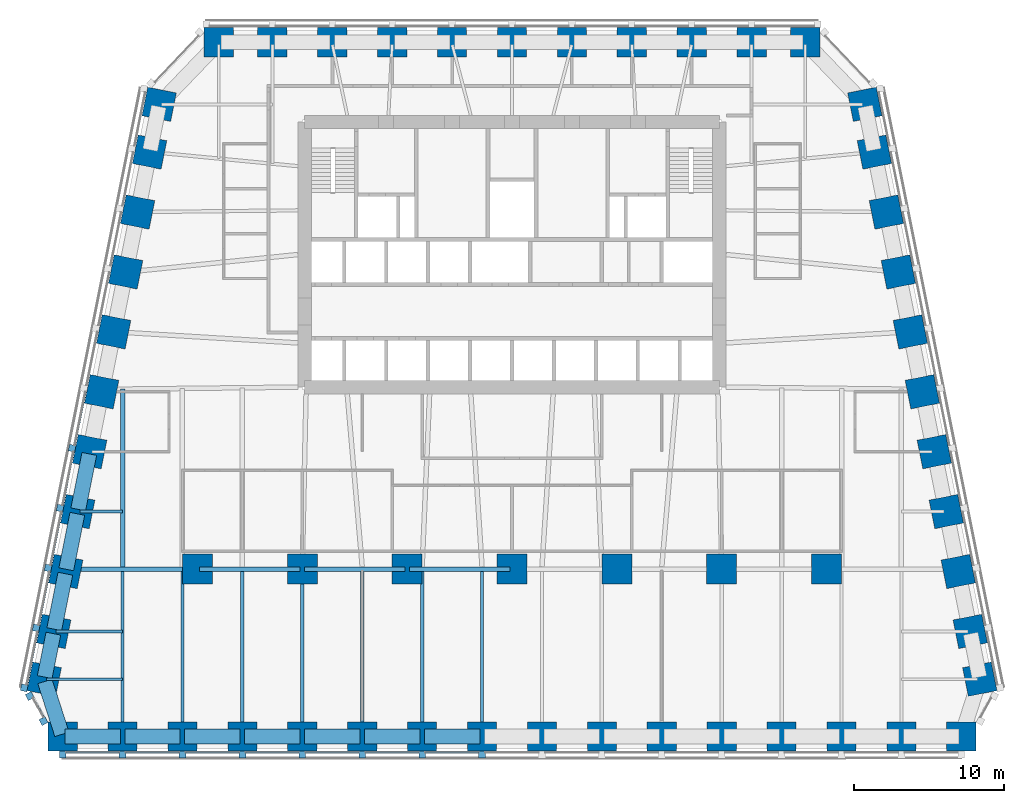
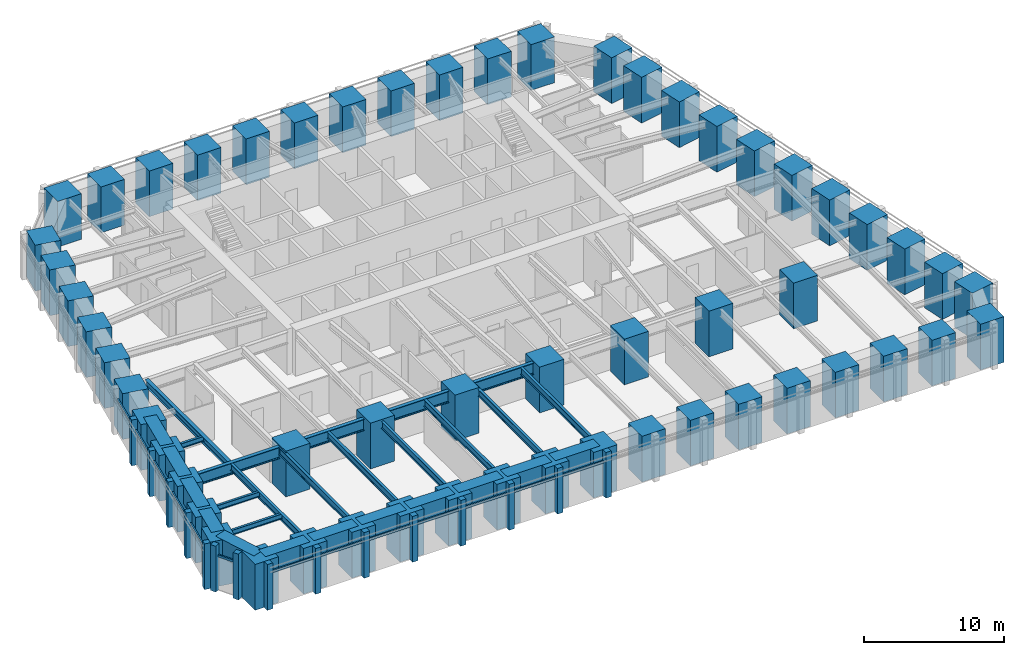
# One storey, part 1 of 10: 56 columns, 28 members, 27 beams, 3 elements without a shape of their own.
"""IFC4 building model written with IfcOpenShell, lengths in metres."""

from ifc_helpers import new_model, si_unit, direction, frame, origin, origin_2d, place, context, subcontext, project, spatial, rectangle, i_section, extrude, material, material_profile, profile_set, type_object, element, aggregate, save


model = new_model("IFC4")

# Units and contexts
model_context = context("Model", 3, precision=1e-05, world=origin(), true_north=direction((0.0, 1.0)))
body_context = subcontext(model_context, "Body", "Model", "MODEL_VIEW")
ifc_project = project(units=[si_unit("LENGTHUNIT", "METRE"), si_unit("AREAUNIT", "SQUARE_METRE"), si_unit("VOLUMEUNIT", "CUBIC_METRE"), si_unit("PLANEANGLEUNIT", "RADIAN"), si_unit("MASSUNIT", "GRAM", prefix="KILO")], contexts=[model_context])

# Site, building, storey
site_placement = place(None, origin())
site = spatial("IfcSite", under=ifc_project, at=site_placement, CompositionType="ELEMENT")
building_placement = place(site_placement, origin())
building = spatial("IfcBuilding", under=site, at=building_placement, Name="Isbrekke Arena Tower", CompositionType="ELEMENT")
storey_placement = place(building_placement, frame((0.0, 0.0, 80.0)))
storey = spatial("IfcBuildingStorey", under=building, at=storey_placement, Name="L17", CompositionType="ELEMENT", Elevation=80.0)

# Columns
ifc_material_1 = material(Name="Concrete B90 (C90/105)", Category="concrete")
ifc_material_profile_1 = material_profile(ifc_material_1, rectangle(XDim=2.0, YDim=2.0, at=origin_2d()), Name="RC 2000x2000")
ifc_profile_set_1 = profile_set([ifc_material_profile_1], Name="Concrete B90 (C90/105)")
column_type_1 = type_object("IfcColumnType", Name="C11 RC 2000 x 2000", PredefinedType="COLUMN", material=ifc_profile_set_1)
for number, where, z_axis, x_axis, name in (
    (1, (-21.0, -6.0, 0.0), (0.0, 0.0, 1.0), (1.0, 0.0, 0.0), "C11 I01"),
    (2, (-14.0, -6.0, 0.0), (0.0, 0.0, 1.0), (1.0, 0.0, 0.0), "C11 I02"),
    (3, (-7.0, -6.0, 0.0), (0.0, 0.0, 1.0), (1.0, 0.0, 0.0), "C11 I03"),
    (4, (0.0, -6.0, 0.0), (0.0, 0.0, 1.0), (1.0, 0.0, 0.0), "C11 I04"),
    (5, (7.0, -6.0, 0.0), (0.0, 0.0, 1.0), (1.0, 0.0, 0.0), "C11 I05"),
    (6, (14.0, -6.0, 0.0), (0.0, 0.0, 1.0), (1.0, 0.0, 0.0), "C11 I06"),
    (7, (21.0, -6.0, 0.0), (0.0, 0.0, 1.0), (1.0, 0.0, 0.0), "C11 I07"),
):
    element("IfcColumn", number, at=place(storey_placement, frame(where, z_axis=z_axis, x_axis=x_axis)), inside=storey, type_object=column_type_1, Name=name, PredefinedType="COLUMN", context=body_context, shape_type="SweptSolid", body=[
        extrude(rectangle(XDim=2.0, YDim=2.0, at=origin_2d()), origin(), (0.0, 0.0, 1.0), 4.0),
    ])
ifc_material_2 = material(Name="Concrete B90 (C90/105)", Category="concrete")
ifc_material_profile_2 = material_profile(ifc_material_2, rectangle(XDim=1.949951171875, YDim=1.949951171875, at=origin_2d()), Name="RC 1950x1950")
ifc_profile_set_2 = profile_set([ifc_material_profile_2], Name="Concrete B90 (C90/105)")
column_type_2 = type_object("IfcColumnType", Name="C2 RC 1950 x 1950", PredefinedType="COLUMN", material=ifc_profile_set_2)
for number, where, z_axis, x_axis, name in (
    (8, (-30.0, -17.175048828125, 0.0), (0.0, 0.0, 1.0), (1.0, 0.0, 0.0), "C2 S01"),
    (9, (-26.0, -17.175048828125, 0.0), (0.0, 0.0, 1.0), (1.0, 0.0, 0.0), "C2 S02"),
    (10, (-22.0, -17.175048828125, 0.0), (0.0, 0.0, 1.0), (1.0, 0.0, 0.0), "C2 S03"),
    (11, (-18.0, -17.175048828125, 0.0), (0.0, 0.0, 1.0), (1.0, 0.0, 0.0), "C2 S04"),
    (12, (-14.0, -17.175048828125, 0.0), (0.0, 0.0, 1.0), (1.0, 0.0, 0.0), "C2 S05"),
    (13, (-10.0, -17.175048828125, 0.0), (0.0, 0.0, 1.0), (1.0, 0.0, 0.0), "C2 S06"),
    (14, (-6.0, -17.175048828125, 0.0), (0.0, 0.0, 1.0), (1.0, 0.0, 0.0), "C2 S07"),
    (15, (-2.0, -17.175048828125, 0.0), (0.0, 0.0, 1.0), (1.0, 0.0, 0.0), "C2 S08"),
    (16, (2.0, -17.175048828125, 0.0), (0.0, 0.0, 1.0), (1.0, 0.0, 0.0), "C2 S09"),
    (17, (6.0, -17.175048828125, 0.0), (0.0, 0.0, 1.0), (1.0, 0.0, 0.0), "C2 S10"),
    (18, (10.0, -17.175048828125, 0.0), (0.0, 0.0, 1.0), (1.0, 0.0, 0.0), "C2 S11"),
    (19, (14.0, -17.175048828125, 0.0), (0.0, 0.0, 1.0), (1.0, 0.0, 0.0), "C2 S12"),
    (20, (18.0, -17.175048828125, 0.0), (0.0, 0.0, 1.0), (1.0, 0.0, 0.0), "C2 S13"),
    (21, (22.0, -17.175048828125, 0.0), (0.0, 0.0, 1.0), (1.0, 0.0, 0.0), "C2 S14"),
    (22, (26.0, -17.175048828125, 0.0), (0.0, 0.0, 1.0), (1.0, 0.0, 0.0), "C2 S15"),
    (23, (30.0, -17.175048828125, 0.0), (0.0, 0.0, 1.0), (1.0, 0.0, 0.0), "C2 S16"),
    (24, (31.229248046875, -13.352783203125, 0.0), (0.0, 0.0, 1.0), (-0.196116135138, 0.980580675691, 0.0), "C2 E01"),
    (25, (30.591064453125, -10.161865234375, 0.0), (0.0, 0.0, 1.0), (-0.196116135138, 0.980580675691, 0.0), "C2 E02"),
    (26, (29.791015625, -6.161865234375, 0.0), (0.0, 0.0, 1.0), (-0.196116135138, 0.980580675691, 0.0), "C2 E03"),
    (27, (28.990966796875, -2.161865234375, 0.0), (0.0, 0.0, 1.0), (-0.196116135138, 0.980580675691, 0.0), "C2 E04"),
    (28, (28.19091796875, 1.838134765625, 0.0), (0.0, 0.0, 1.0), (-0.196116135138, 0.980580675691, 0.0), "C2 E05"),
    (29, (27.39111328125, 5.838134765625, 0.0), (0.0, 0.0, 1.0), (-0.196116135138, 0.980580675691, 0.0), "C2 E06"),
    (30, (26.591064453125, 9.838134765625, 0.0), (0.0, 0.0, 1.0), (-0.196116135138, 0.980580675691, 0.0), "C2 E07"),
    (31, (25.791015625, 13.838134765625, 0.0), (0.0, 0.0, 1.0), (-0.196116135138, 0.980580675691, 0.0), "C2 E08"),
    (32, (24.990966796875, 17.838134765625, 0.0), (0.0, 0.0, 1.0), (-0.196116135138, 0.980580675691, 0.0), "C2 E09"),
    (33, (24.19091796875, 21.838134765625, 0.0), (0.0, 0.0, 1.0), (-0.196116135138, 0.980580675691, 0.0), "C2 E10"),
    (34, (23.552734375, 25.029296875, 0.0), (0.0, 0.0, 1.0), (-0.196116135138, 0.980580675691, 0.0), "C2 E11"),
    (35, (19.574951171875, 29.175048828125, 0.0), (0.0, 0.0, 1.0), (-1.0, 0.0, 0.0), "C2 N01"),
    (36, (16.0, 29.175048828125, 0.0), (0.0, 0.0, 1.0), (-1.0, 0.0, 0.0), "C2 N02"),
    (37, (12.0, 29.175048828125, 0.0), (0.0, 0.0, 1.0), (-1.0, 0.0, 0.0), "C2 N03"),
    (38, (8.0, 29.175048828125, 0.0), (0.0, 0.0, 1.0), (-1.0, 0.0, 0.0), "C2 N04"),
    (39, (4.0, 29.175048828125, 0.0), (0.0, 0.0, 1.0), (-1.0, 0.0, 0.0), "C2 N05"),
    (40, (0.0, 29.175048828125, 0.0), (0.0, 0.0, 1.0), (-1.0, 0.0, 0.0), "C2 N06"),
    (41, (-4.0, 29.175048828125, 0.0), (0.0, 0.0, 1.0), (-1.0, 0.0, 0.0), "C2 N07"),
    (42, (-8.0, 29.175048828125, 0.0), (0.0, 0.0, 1.0), (-1.0, 0.0, 0.0), "C2 N08"),
    (43, (-12.0, 29.175048828125, 0.0), (0.0, 0.0, 1.0), (-1.0, 0.0, 0.0), "C2 N09"),
    (44, (-16.0, 29.175048828125, 0.0), (0.0, 0.0, 1.0), (-1.0, 0.0, 0.0), "C2 N10"),
    (45, (-19.574951171875, 29.175048828125, 0.0), (0.0, 0.0, 1.0), (-1.0, 0.0, 0.0), "C2 N11"),
    (46, (-23.552734375, 25.029296875, 0.0), (0.0, 0.0, 1.0), (-0.196116135138, -0.980580675691, 0.0), "C2 W01"),
    (47, (-24.19091796875, 21.838134765625, 0.0), (0.0, 0.0, 1.0), (-0.196116135138, -0.980580675691, 0.0), "C2 W02"),
    (48, (-24.990966796875, 17.838134765625, 0.0), (0.0, 0.0, 1.0), (-0.196116135138, -0.980580675691, 0.0), "C2 W03"),
    (49, (-25.791015625, 13.838134765625, 0.0), (0.0, 0.0, 1.0), (-0.196116135138, -0.980580675691, 0.0), "C2 W04"),
    (50, (-26.591064453125, 9.838134765625, 0.0), (0.0, 0.0, 1.0), (-0.196116135138, -0.980580675691, 0.0), "C2 W05"),
    (51, (-27.39111328125, 5.838134765625, 0.0), (0.0, 0.0, 1.0), (-0.196116135138, -0.980580675691, 0.0), "C2 W06"),
    (52, (-28.19091796875, 1.838134765625, 0.0), (0.0, 0.0, 1.0), (-0.196116135138, -0.980580675691, 0.0), "C2 W07"),
    (53, (-28.990966796875, -2.161865234375, 0.0), (0.0, 0.0, 1.0), (-0.196116135138, -0.980580675691, 0.0), "C2 W08"),
    (54, (-29.791015625, -6.161865234375, 0.0), (0.0, 0.0, 1.0), (-0.196116135138, -0.980580675691, 0.0), "C2 W09"),
    (55, (-30.591064453125, -10.161865234375, 0.0), (0.0, 0.0, 1.0), (-0.196116135138, -0.980580675691, 0.0), "C2 W10"),
    (56, (-31.229248046875, -13.352783203125, 0.0), (0.0, 0.0, 1.0), (-0.196116135138, -0.980580675691, 0.0), "C2 W11"),
):
    element("IfcColumn", number, at=place(storey_placement, frame(where, z_axis=z_axis, x_axis=x_axis)), inside=storey, type_object=column_type_2, Name=name, PredefinedType="COLUMN", context=body_context, shape_type="SweptSolid", body=[
        extrude(rectangle(XDim=1.949951171875, YDim=1.949951171875, at=origin_2d()), origin(), (0.0, 0.0, 1.0), 4.0),
    ])

# Beams
ifc_material_3 = material(Name="Steel S355", Category="steel")
ifc_material_profile_3 = material_profile(ifc_material_3, i_section(OverallWidth=0.219970703125, OverallDepth=0.60009765625, WebThickness=0.011962890625, FlangeThickness=0.01904296875, FilletRadius=0.02392578125, at=origin_2d()), Name="IPE 600")
ifc_profile_set_3 = profile_set([ifc_material_profile_3], Name="Steel S355")
beam_type_1 = type_object("IfcBeamType", Name="B1 IPE 600", PredefinedType="BEAM", material=ifc_profile_set_3)
for number, where, z_axis, x_axis, name in (
    (57, (-26.0, -17.02490234375, 3.550048828125), (0.0, 1.0, 0.0), (-1.0, 0.0, 0.0), "B1 beam S-S02 L17"),
    (58, (-22.0, -17.02490234375, 3.550048828125), (0.0, 1.0, 0.0), (-1.0, 0.0, 0.0), "B1 beam S-S03 L17"),
    (59, (-18.0, -17.02490234375, 3.550048828125), (0.0, 1.0, 0.0), (-1.0, 0.0, 0.0), "B1 beam S-S04 L17"),
):
    element("IfcBeam", number, at=place(storey_placement, frame(where, z_axis=z_axis, x_axis=x_axis)), inside=storey, type_object=beam_type_1, Name=name, PredefinedType="BEAM", context=body_context, shape_type="SweptSolid", body=[
        extrude(i_section(OverallWidth=0.219970703125, OverallDepth=0.60009765625, WebThickness=0.011962890625, FlangeThickness=0.01904296875, FilletRadius=0.02392578125, at=origin_2d()), origin(), (0.0, 0.0, 1.0), 10.8740234375),
    ])
beam_1_placement = place(storey_placement, frame((-14.0, -17.02490234375, 3.550048828125), z_axis=(0.0, 1.0, 0.0), x_axis=(-1.0, 0.0, 0.0)))
element("IfcBeam", 60, at=beam_1_placement, inside=storey, type_object=beam_type_1, Name="B1 beam S-S05 L17", PredefinedType="BEAM", context=body_context, shape_type="SweptSolid", body=[
    extrude(i_section(OverallWidth=0.219970703125, OverallDepth=0.60009765625, WebThickness=0.011962890625, FlangeThickness=0.01904296875, FilletRadius=0.02392578125, at=origin_2d()), origin(), (0.0, 0.0, 1.0), 10.875),
])
for number, where, z_axis, x_axis, name in (
    (61, (-10.0, -17.02490234375, 3.550048828125), (0.0, 1.0, 0.0), (-1.0, 0.0, 0.0), "B1 beam S-S06 L17"),
    (62, (-6.0, -17.02490234375, 3.550048828125), (0.0, 1.0, 0.0), (-1.0, 0.0, 0.0), "B1 beam S-S07 L17"),
    (63, (-2.0, -17.02490234375, 3.550048828125), (0.0, 1.0, 0.0), (-1.0, 0.0, 0.0), "B1 beam S-S08 L17"),
):
    element("IfcBeam", number, at=place(storey_placement, frame(where, z_axis=z_axis, x_axis=x_axis)), inside=storey, type_object=beam_type_1, Name=name, PredefinedType="BEAM", context=body_context, shape_type="SweptSolid", body=[
        extrude(i_section(OverallWidth=0.219970703125, OverallDepth=0.60009765625, WebThickness=0.011962890625, FlangeThickness=0.01904296875, FilletRadius=0.02392578125, at=origin_2d()), origin(), (0.0, 0.0, 1.0), 10.8740234375),
    ])
ifc_material_4 = material(Name="Steel S355", Category="steel")
ifc_material_profile_4 = material_profile(ifc_material_4, i_section(OverallWidth=0.18994140625, OverallDepth=0.449951171875, WebThickness=0.009521484375, FlangeThickness=0.0146484375, FilletRadius=0.02099609375, at=origin_2d()), Name="IPE 450")
ifc_profile_set_4 = profile_set([ifc_material_profile_4], Name="Steel S355")
beam_type_2 = type_object("IfcBeamType", Name="B2 IPE 450", PredefinedType="BEAM", material=ifc_profile_set_4)
beam_2_placement = place(storey_placement, frame((-28.841064453125, -2.161865234375, 3.625), z_axis=(1.0, 0.0, 0.0), x_axis=(0.0, 1.0, 0.0)))
element("IfcBeam", 64, at=beam_2_placement, inside=storey, type_object=beam_type_2, Name="B2 beam E-W08 L17", PredefinedType="BEAM", context=body_context, shape_type="SweptSolid", body=[
    extrude(i_section(OverallWidth=0.18994140625, OverallDepth=0.449951171875, WebThickness=0.009521484375, FlangeThickness=0.0146484375, FilletRadius=0.02099609375, at=origin_2d()), origin(), (0.0, 0.0, 1.0), 2.841064453125),
])
beam_3_placement = place(storey_placement, frame((-30.44091796875, -10.161865234375, 3.625), z_axis=(1.0, 0.0, 0.0), x_axis=(0.0, 1.0, 0.0)))
element("IfcBeam", 65, at=beam_3_placement, inside=storey, type_object=beam_type_2, Name="B2 beam E-W10 L17", PredefinedType="BEAM", context=body_context, shape_type="SweptSolid", body=[
    extrude(i_section(OverallWidth=0.18994140625, OverallDepth=0.449951171875, WebThickness=0.009521484375, FlangeThickness=0.0146484375, FilletRadius=0.02099609375, at=origin_2d()), origin(), (0.0, 0.0, 1.0), 4.44091796875),
])
beam_4_placement = place(storey_placement, frame((-31.079345703125, -13.352783203125, 3.625), z_axis=(1.0, 0.0, 0.0), x_axis=(0.0, 1.0, 0.0)))
element("IfcBeam", 66, at=beam_4_placement, inside=storey, type_object=beam_type_2, Name="B2 beam E-W11 L17", PredefinedType="BEAM", context=body_context, shape_type="SweptSolid", body=[
    extrude(i_section(OverallWidth=0.18994140625, OverallDepth=0.449951171875, WebThickness=0.009521484375, FlangeThickness=0.0146484375, FilletRadius=0.02099609375, at=origin_2d()), origin(), (0.0, 0.0, 1.0), 5.079345703125),
])
ifc_material_5 = material(Name="Steel S355", Category="steel")
ifc_material_profile_5 = material_profile(ifc_material_5, i_section(OverallWidth=0.300048828125, OverallDepth=0.60009765625, WebThickness=0.015380859375, FlangeThickness=0.030029296875, FilletRadius=0.027099609375, at=origin_2d()), Name="HEB 600")
ifc_profile_set_5 = profile_set([ifc_material_profile_5], Name="Steel S355")
beam_type_3 = type_object("IfcBeamType", Name="B7 HEB 600", PredefinedType="BEAM", material=ifc_profile_set_5)
beam_5_placement = place(storey_placement, frame((-26.0, -5.84912109375, 3.550048828125), z_axis=(0.0, 1.0, 0.0), x_axis=(-1.0, 0.0, 0.0)))
element("IfcBeam", 67, at=beam_5_placement, inside=storey, type_object=beam_type_3, Name="B7 beam C-M01 L17", PredefinedType="BEAM", context=body_context, shape_type="SweptSolid", body=[
    extrude(i_section(OverallWidth=0.300048828125, OverallDepth=0.60009765625, WebThickness=0.015380859375, FlangeThickness=0.030029296875, FilletRadius=0.027099609375, at=origin_2d()), origin(), (0.0, 0.0, 1.0), 11.864990234375),
])

# Curtain wall, members
ifc_material_6 = material(Name="Glazed aluminium curtain wall", Category="aluminium")
curtain_wall_type = type_object("IfcCurtainWallType", Name="CWL TOWER CURTAIN WALL LOW ZONE", PredefinedType="USERDEFINED", material=ifc_material_6)
curtain_wall_1_placement = place(storey_placement, origin())
curtain_wall_1 = element("IfcCurtainWall", 68, at=curtain_wall_1_placement, inside=storey, type_object=curtain_wall_type, Name="CWL curtain wall L17-S", ObjectType="TOWER CURTAIN WALL LOW ZONE", PredefinedType="USERDEFINED")
ifc_material_7 = material(Name="Aluminium mullion, pale brick slip cladding", Category="masonry")
ifc_material_profile_6 = material_profile(ifc_material_7, rectangle(XDim=0.449951171875, YDim=0.449951171875, at=origin_2d()), Name="PIER 450X450")
ifc_profile_set_6 = profile_set([ifc_material_profile_6], Name="Aluminium mullion, pale brick slip cladding")
member_type_1 = type_object("IfcMemberType", Name="CWL-M PIER MULLION 450 x 450", PredefinedType="MULLION", material=ifc_profile_set_6)
member_1_placement = place(storey_placement, frame((-30.0, -18.375, 0.0), z_axis=(0.0, 0.0, 1.0), x_axis=(1.0, 0.0, 0.0)))
member_1 = element("IfcMember", 69, at=member_1_placement, type_object=member_type_1, Name="CWL-M mullion 1", PredefinedType="MULLION", context=body_context, shape_type="SweptSolid", body=[
    extrude(rectangle(XDim=0.449951171875, YDim=0.449951171875, at=origin_2d()), origin(), (0.0, 0.0, 1.0), 4.0),
])
member_2_placement = place(storey_placement, frame((-26.0, -18.375, 0.0), z_axis=(0.0, 0.0, 1.0), x_axis=(1.0, 0.0, 0.0)))
member_2 = element("IfcMember", 70, at=member_2_placement, type_object=member_type_1, Name="CWL-M mullion 2", PredefinedType="MULLION", context=body_context, shape_type="SweptSolid", body=[
    extrude(rectangle(XDim=0.449951171875, YDim=0.449951171875, at=origin_2d()), origin(), (0.0, 0.0, 1.0), 4.0),
])
member_3_placement = place(storey_placement, frame((-22.0, -18.375, 0.0), z_axis=(0.0, 0.0, 1.0), x_axis=(1.0, 0.0, 0.0)))
member_3 = element("IfcMember", 71, at=member_3_placement, type_object=member_type_1, Name="CWL-M mullion 3", PredefinedType="MULLION", context=body_context, shape_type="SweptSolid", body=[
    extrude(rectangle(XDim=0.449951171875, YDim=0.449951171875, at=origin_2d()), origin(), (0.0, 0.0, 1.0), 4.0),
])
member_4_placement = place(storey_placement, frame((-18.0, -18.375, 0.0), z_axis=(0.0, 0.0, 1.0), x_axis=(1.0, 0.0, 0.0)))
member_4 = element("IfcMember", 72, at=member_4_placement, type_object=member_type_1, Name="CWL-M mullion 4", PredefinedType="MULLION", context=body_context, shape_type="SweptSolid", body=[
    extrude(rectangle(XDim=0.449951171875, YDim=0.449951171875, at=origin_2d()), origin(), (0.0, 0.0, 1.0), 4.0),
])
member_5_placement = place(storey_placement, frame((-14.0, -18.375, 0.0), z_axis=(0.0, 0.0, 1.0), x_axis=(1.0, 0.0, 0.0)))
member_5 = element("IfcMember", 73, at=member_5_placement, type_object=member_type_1, Name="CWL-M mullion 5", PredefinedType="MULLION", context=body_context, shape_type="SweptSolid", body=[
    extrude(rectangle(XDim=0.449951171875, YDim=0.449951171875, at=origin_2d()), origin(), (0.0, 0.0, 1.0), 4.0),
])
member_6_placement = place(storey_placement, frame((-10.0, -18.375, 0.0), z_axis=(0.0, 0.0, 1.0), x_axis=(1.0, 0.0, 0.0)))
member_6 = element("IfcMember", 74, at=member_6_placement, type_object=member_type_1, Name="CWL-M mullion 6", PredefinedType="MULLION", context=body_context, shape_type="SweptSolid", body=[
    extrude(rectangle(XDim=0.449951171875, YDim=0.449951171875, at=origin_2d()), origin(), (0.0, 0.0, 1.0), 4.0),
])
member_7_placement = place(storey_placement, frame((-6.0, -18.375, 0.0), z_axis=(0.0, 0.0, 1.0), x_axis=(1.0, 0.0, 0.0)))
member_7 = element("IfcMember", 75, at=member_7_placement, type_object=member_type_1, Name="CWL-M mullion 7", PredefinedType="MULLION", context=body_context, shape_type="SweptSolid", body=[
    extrude(rectangle(XDim=0.449951171875, YDim=0.449951171875, at=origin_2d()), origin(), (0.0, 0.0, 1.0), 4.0),
])
member_8_placement = place(storey_placement, frame((-2.0, -18.375, 0.0), z_axis=(0.0, 0.0, 1.0), x_axis=(1.0, 0.0, 0.0)))
member_8 = element("IfcMember", 76, at=member_8_placement, type_object=member_type_1, Name="CWL-M mullion 8", PredefinedType="MULLION", context=body_context, shape_type="SweptSolid", body=[
    extrude(rectangle(XDim=0.449951171875, YDim=0.449951171875, at=origin_2d()), origin(), (0.0, 0.0, 1.0), 4.0),
])

curtain_wall_2_placement = place(storey_placement, origin())
curtain_wall_2 = element("IfcCurtainWall", 77, at=curtain_wall_2_placement, inside=storey, type_object=curtain_wall_type, Name="CWL curtain wall L17-W", ObjectType="TOWER CURTAIN WALL LOW ZONE", PredefinedType="USERDEFINED")
member_9_placement = place(storey_placement, frame((-29.36767578125, 2.073486328125, 0.0), z_axis=(0.0, 0.0, 1.0), x_axis=(-0.196116135138, -0.980580675691, 0.0)))
member_9 = element("IfcMember", 78, at=member_9_placement, type_object=member_type_1, Name="CWL-M mullion 7", PredefinedType="MULLION", context=body_context, shape_type="SweptSolid", body=[
    extrude(rectangle(XDim=0.449951171875, YDim=0.449951171875, at=origin_2d()), origin(), (0.0, 0.0, 1.0), 4.0),
])
member_10_placement = place(storey_placement, frame((-30.167724609375, -1.926513671875, 0.0), z_axis=(0.0, 0.0, 1.0), x_axis=(-0.196116135138, -0.980580675691, 0.0)))
member_10 = element("IfcMember", 79, at=member_10_placement, type_object=member_type_1, Name="CWL-M mullion 8", PredefinedType="MULLION", context=body_context, shape_type="SweptSolid", body=[
    extrude(rectangle(XDim=0.449951171875, YDim=0.449951171875, at=origin_2d()), origin(), (0.0, 0.0, 1.0), 4.0),
])
member_11_placement = place(storey_placement, frame((-30.9677734375, -5.926513671875, 0.0), z_axis=(0.0, 0.0, 1.0), x_axis=(-0.196116135138, -0.980580675691, 0.0)))
member_11 = element("IfcMember", 80, at=member_11_placement, type_object=member_type_1, Name="CWL-M mullion 9", PredefinedType="MULLION", context=body_context, shape_type="SweptSolid", body=[
    extrude(rectangle(XDim=0.449951171875, YDim=0.449951171875, at=origin_2d()), origin(), (0.0, 0.0, 1.0), 4.0),
])
member_12_placement = place(storey_placement, frame((-31.767822265625, -9.926513671875, 0.0), z_axis=(0.0, 0.0, 1.0), x_axis=(-0.196116135138, -0.980580675691, 0.0)))
member_12 = element("IfcMember", 81, at=member_12_placement, type_object=member_type_1, Name="CWL-M mullion 10", PredefinedType="MULLION", context=body_context, shape_type="SweptSolid", body=[
    extrude(rectangle(XDim=0.449951171875, YDim=0.449951171875, at=origin_2d()), origin(), (0.0, 0.0, 1.0), 4.0),
])
member_13_placement = place(storey_placement, frame((-32.567626953125, -13.926513671875, 0.0), z_axis=(0.0, 0.0, 1.0), x_axis=(-0.196116135138, -0.980580675691, 0.0)))
member_13 = element("IfcMember", 82, at=member_13_placement, type_object=member_type_1, Name="CWL-M mullion 11", PredefinedType="MULLION", context=body_context, shape_type="SweptSolid", body=[
    extrude(rectangle(XDim=0.449951171875, YDim=0.449951171875, at=origin_2d()), origin(), (0.0, 0.0, 1.0), 4.0),
])

curtain_wall_3_placement = place(storey_placement, origin())
curtain_wall_3 = element("IfcCurtainWall", 83, at=curtain_wall_3_placement, inside=storey, type_object=curtain_wall_type, Name="CWL curtain wall L17-WS", ObjectType="TOWER CURTAIN WALL LOW ZONE", PredefinedType="USERDEFINED")
member_14_placement = place(storey_placement, frame((-32.19580078125, -14.474609375, 0.0), z_axis=(0.0, 0.0, 1.0), x_axis=(0.481918749773, -0.876215908676, 0.0)))
member_14 = element("IfcMember", 84, at=member_14_placement, type_object=member_type_1, Name="CWL-M mullion 1", PredefinedType="MULLION", context=body_context, shape_type="SweptSolid", body=[
    extrude(rectangle(XDim=0.449951171875, YDim=0.449951171875, at=origin_2d()), origin(), (0.0, 0.0, 1.0), 4.0),
])
member_15_placement = place(storey_placement, frame((-31.277587890625, -16.14404296875, 0.0), z_axis=(0.0, 0.0, 1.0), x_axis=(0.481918749773, -0.876215908676, 0.0)))
member_15 = element("IfcMember", 85, at=member_15_placement, type_object=member_type_1, Name="CWL-M mullion 2", PredefinedType="MULLION", context=body_context, shape_type="SweptSolid", body=[
    extrude(rectangle(XDim=0.449951171875, YDim=0.449951171875, at=origin_2d()), origin(), (0.0, 0.0, 1.0), 4.0),
])

# Member
ifc_material_8 = material(Name="Aluminium transom", Category="aluminium")
ifc_material_profile_7 = material_profile(ifc_material_8, rectangle(XDim=0.1201171875, YDim=0.199951171875, at=origin_2d()), Name="TRANSOM 120X200")
ifc_profile_set_7 = profile_set([ifc_material_profile_7], Name="Aluminium transom")
member_type_2 = type_object("IfcMemberType", Name="CWL-T TRANSOM 120 x 200", PredefinedType="USERDEFINED", material=ifc_profile_set_7)
member_16_placement = place(storey_placement, frame((-29.77490234375, -18.25, 3.0), z_axis=(1.0, 0.0, 0.0), x_axis=(0.0, 1.0, 0.0)))
member_16 = element("IfcMember", 86, at=member_16_placement, type_object=member_type_2, Name="CWL-T transom 1", ObjectType="TRANSOM", PredefinedType="USERDEFINED", context=body_context, shape_type="SweptSolid", body=[
    extrude(rectangle(XDim=0.1201171875, YDim=0.199951171875, at=origin_2d()), origin(), (0.0, 0.0, 1.0), 3.5498046875),
])

member_17_placement = place(storey_placement, frame((-25.77490234375, -18.25, 3.0), z_axis=(1.0, 0.0, 0.0), x_axis=(0.0, 1.0, 0.0)))
member_17 = element("IfcMember", 87, at=member_17_placement, type_object=member_type_2, Name="CWL-T transom 2", ObjectType="TRANSOM", PredefinedType="USERDEFINED", context=body_context, shape_type="SweptSolid", body=[
    extrude(rectangle(XDim=0.1201171875, YDim=0.199951171875, at=origin_2d()), origin(), (0.0, 0.0, 1.0), 3.5498046875),
])

member_18_placement = place(storey_placement, frame((-21.77490234375, -18.25, 3.0), z_axis=(1.0, 0.0, 0.0), x_axis=(0.0, 1.0, 0.0)))
member_18 = element("IfcMember", 88, at=member_18_placement, type_object=member_type_2, Name="CWL-T transom 3", ObjectType="TRANSOM", PredefinedType="USERDEFINED", context=body_context, shape_type="SweptSolid", body=[
    extrude(rectangle(XDim=0.1201171875, YDim=0.199951171875, at=origin_2d()), origin(), (0.0, 0.0, 1.0), 3.5498046875),
])

member_19_placement = place(storey_placement, frame((-17.77490234375, -18.25, 3.0), z_axis=(1.0, 0.0, 0.0), x_axis=(0.0, 1.0, 0.0)))
member_19 = element("IfcMember", 89, at=member_19_placement, type_object=member_type_2, Name="CWL-T transom 4", ObjectType="TRANSOM", PredefinedType="USERDEFINED", context=body_context, shape_type="SweptSolid", body=[
    extrude(rectangle(XDim=0.1201171875, YDim=0.199951171875, at=origin_2d()), origin(), (0.0, 0.0, 1.0), 3.5498046875),
])

member_20_placement = place(storey_placement, frame((-13.77490234375, -18.25, 3.0), z_axis=(1.0, 0.0, 0.0), x_axis=(0.0, 1.0, 0.0)))
member_20 = element("IfcMember", 90, at=member_20_placement, type_object=member_type_2, Name="CWL-T transom 5", ObjectType="TRANSOM", PredefinedType="USERDEFINED", context=body_context, shape_type="SweptSolid", body=[
    extrude(rectangle(XDim=0.1201171875, YDim=0.199951171875, at=origin_2d()), origin(), (0.0, 0.0, 1.0), 3.5498046875),
])

member_21_placement = place(storey_placement, frame((-9.77490234375, -18.25, 3.0), z_axis=(1.0, 0.0, 0.0), x_axis=(0.0, 1.0, 0.0)))
member_21 = element("IfcMember", 91, at=member_21_placement, type_object=member_type_2, Name="CWL-T transom 6", ObjectType="TRANSOM", PredefinedType="USERDEFINED", context=body_context, shape_type="SweptSolid", body=[
    extrude(rectangle(XDim=0.1201171875, YDim=0.199951171875, at=origin_2d()), origin(), (0.0, 0.0, 1.0), 3.5498046875),
])

member_22_placement = place(storey_placement, frame((-5.77490234375, -18.25, 3.0), z_axis=(1.0, 0.0, 0.0), x_axis=(0.0, 1.0, 0.0)))
member_22 = element("IfcMember", 92, at=member_22_placement, type_object=member_type_2, Name="CWL-T transom 7", ObjectType="TRANSOM", PredefinedType="USERDEFINED", context=body_context, shape_type="SweptSolid", body=[
    extrude(rectangle(XDim=0.1201171875, YDim=0.199951171875, at=origin_2d()), origin(), (0.0, 0.0, 1.0), 3.5498046875),
])

aggregate(curtain_wall_1, [member_1, member_2, member_3, member_4, member_5, member_6, member_7, member_8, member_16, member_17, member_18, member_19, member_20, member_21, member_22])

member_23_placement = place(storey_placement, frame((-28.4892578125, 5.828369140625, 3.0), z_axis=(-0.196103197847, -0.98058326306, 0.0), x_axis=(0.98058326306, -0.196103197847, 0.0)))
member_23 = element("IfcMember", 93, at=member_23_placement, type_object=member_type_2, Name="CWL-T transom 6", ObjectType="TRANSOM", PredefinedType="USERDEFINED", context=body_context, shape_type="SweptSolid", body=[
    extrude(rectangle(XDim=0.1201171875, YDim=0.199951171875, at=origin_2d()), origin(), (0.0, 0.0, 1.0), 3.629150390625),
])

member_24_placement = place(storey_placement, frame((-29.289306640625, 1.828369140625, 3.0), z_axis=(-0.196103197847, -0.98058326306, 0.0), x_axis=(0.98058326306, -0.196103197847, 0.0)))
member_24 = element("IfcMember", 94, at=member_24_placement, type_object=member_type_2, Name="CWL-T transom 7", ObjectType="TRANSOM", PredefinedType="USERDEFINED", context=body_context, shape_type="SweptSolid", body=[
    extrude(rectangle(XDim=0.1201171875, YDim=0.199951171875, at=origin_2d()), origin(), (0.0, 0.0, 1.0), 3.629150390625),
])

member_25_placement = place(storey_placement, frame((-30.08935546875, -2.171630859375, 3.0), z_axis=(-0.196103197847, -0.98058326306, 0.0), x_axis=(0.98058326306, -0.196103197847, 0.0)))
member_25 = element("IfcMember", 95, at=member_25_placement, type_object=member_type_2, Name="CWL-T transom 8", ObjectType="TRANSOM", PredefinedType="USERDEFINED", context=body_context, shape_type="SweptSolid", body=[
    extrude(rectangle(XDim=0.1201171875, YDim=0.199951171875, at=origin_2d()), origin(), (0.0, 0.0, 1.0), 3.629150390625),
])

member_26_placement = place(storey_placement, frame((-30.88916015625, -6.171630859375, 3.0), z_axis=(-0.196167883278, -0.980570324643, 0.0), x_axis=(0.980570324643, -0.196167883278, 0.0)))
member_26 = element("IfcMember", 96, at=member_26_placement, type_object=member_type_2, Name="CWL-T transom 9", ObjectType="TRANSOM", PredefinedType="USERDEFINED", context=body_context, shape_type="SweptSolid", body=[
    extrude(rectangle(XDim=0.1201171875, YDim=0.199951171875, at=origin_2d()), origin(), (0.0, 0.0, 1.0), 3.629150390625),
])

member_27_placement = place(storey_placement, frame((-31.689208984375, -10.171630859375, 3.0), z_axis=(-0.196167883278, -0.980570324643, 0.0), x_axis=(0.980570324643, -0.196167883278, 0.0)))
member_27 = element("IfcMember", 97, at=member_27_placement, type_object=member_type_2, Name="CWL-T transom 10", ObjectType="TRANSOM", PredefinedType="USERDEFINED", context=body_context, shape_type="SweptSolid", body=[
    extrude(rectangle(XDim=0.1201171875, YDim=0.199951171875, at=origin_2d()), origin(), (0.0, 0.0, 1.0), 3.629150390625),
])

aggregate(curtain_wall_2, [member_9, member_10, member_11, member_12, member_13, member_23, member_24, member_25, member_26, member_27])

member_28_placement = place(storey_placement, frame((-31.977783203125, -14.611572265625, 3.0), z_axis=(0.481905867223, -0.876222993955, 0.0), x_axis=(0.876222993955, 0.481905867223, 0.0)))
member_28 = element("IfcMember", 98, at=member_28_placement, type_object=member_type_2, Name="CWL-T transom 1", ObjectType="TRANSOM", PredefinedType="USERDEFINED", context=body_context, shape_type="SweptSolid", body=[
    extrude(rectangle(XDim=0.1201171875, YDim=0.199951171875, at=origin_2d()), origin(), (0.0, 0.0, 1.0), 1.455078125),
])

aggregate(curtain_wall_3, [member_14, member_15, member_28])

# Beams
ifc_material_9 = material(Name="Steel S355", Category="steel")
ifc_material_profile_8 = material_profile(ifc_material_9, i_section(OverallWidth=0.302001953125, OverallDepth=1.008056640625, WebThickness=0.02099609375, FlangeThickness=0.0400390625, FilletRadius=0.030029296875, at=origin_2d()), Name="HEM 1000")
ifc_profile_set_8 = profile_set([ifc_material_profile_8], Name="Steel S355")
beam_type_4 = type_object("IfcBeamType", Name="G1 HEM 1000", PredefinedType="BEAM", material=ifc_profile_set_8)
beam_6_placement = place(storey_placement, frame((-29.791015625, -6.0, 3.345947265625), z_axis=(1.0, 0.0, 0.0), x_axis=(0.0, 1.0, 0.0)))
element("IfcBeam", 99, at=beam_6_placement, inside=storey, type_object=beam_type_4, Name="G1 beam G1-01 L17", PredefinedType="BEAM", context=body_context, shape_type="SweptSolid", body=[
    extrude(i_section(OverallWidth=0.302001953125, OverallDepth=1.008056640625, WebThickness=0.02099609375, FlangeThickness=0.0400390625, FilletRadius=0.030029296875, at=origin_2d()), origin(), (0.0, 0.0, 1.0), 8.64111328125),
])
for number, where, z_axis, x_axis, name in (
    (100, (-20.85009765625, -6.0, 3.345947265625), (1.0, 0.0, 0.0), (0.0, 1.0, 0.0), "G1 beam G1-02 L17"),
    (101, (-13.85009765625, -6.0, 3.345947265625), (1.0, 0.0, 0.0), (0.0, 1.0, 0.0), "G1 beam G1-03 L17"),
    (102, (-6.85009765625, -6.0, 3.345947265625), (1.0, 0.0, 0.0), (0.0, 1.0, 0.0), "G1 beam G1-04 L17"),
):
    element("IfcBeam", number, at=place(storey_placement, frame(where, z_axis=z_axis, x_axis=x_axis)), inside=storey, type_object=beam_type_4, Name=name, PredefinedType="BEAM", context=body_context, shape_type="SweptSolid", body=[
        extrude(i_section(OverallWidth=0.302001953125, OverallDepth=1.008056640625, WebThickness=0.02099609375, FlangeThickness=0.0400390625, FilletRadius=0.030029296875, at=origin_2d()), origin(), (0.0, 0.0, 1.0), 6.7001953125),
    ])
ifc_material_10 = material(Name="Concrete B90 (C90/105)", Category="concrete")
ifc_material_profile_9 = material_profile(ifc_material_10, rectangle(XDim=1.0, YDim=1.60009765625, at=origin_2d()), Name="RC 1000x1600")
ifc_profile_set_9 = profile_set([ifc_material_profile_9], Name="Concrete B90 (C90/105)")
beam_type_5 = type_object("IfcBeamType", Name="SB1 RC 1000 x 1600", PredefinedType="SPANDREL", material=ifc_profile_set_9)
for number, where, z_axis, x_axis, name in (
    (103, (-29.85009765625, -17.175048828125, 3.199951171875), (1.0, 0.0, 0.0), (0.0, 1.0, 0.0), "SB1 spandrel S01-S02 L17"),
    (104, (-25.85009765625, -17.175048828125, 3.199951171875), (1.0, 0.0, 0.0), (0.0, 1.0, 0.0), "SB1 spandrel S02-S03 L17"),
    (105, (-21.85009765625, -17.175048828125, 3.199951171875), (1.0, 0.0, 0.0), (0.0, 1.0, 0.0), "SB1 spandrel S03-S04 L17"),
    (106, (-17.85009765625, -17.175048828125, 3.199951171875), (1.0, 0.0, 0.0), (0.0, 1.0, 0.0), "SB1 spandrel S04-S05 L17"),
    (107, (-13.85009765625, -17.175048828125, 3.199951171875), (1.0, 0.0, 0.0), (0.0, 1.0, 0.0), "SB1 spandrel S05-S06 L17"),
    (108, (-9.85009765625, -17.175048828125, 3.199951171875), (1.0, 0.0, 0.0), (0.0, 1.0, 0.0), "SB1 spandrel S06-S07 L17"),
    (109, (-5.85009765625, -17.175048828125, 3.199951171875), (1.0, 0.0, 0.0), (0.0, 1.0, 0.0), "SB1 spandrel S07-S08 L17"),
):
    element("IfcBeam", number, at=place(storey_placement, frame(where, z_axis=z_axis, x_axis=x_axis)), inside=storey, type_object=beam_type_5, Name=name, PredefinedType="SPANDREL", context=body_context, shape_type="SweptSolid", body=[
        extrude(rectangle(XDim=1.0, YDim=1.60009765625, at=origin_2d()), origin(), (0.0, 0.0, 1.0), 3.7001953125),
    ])
for number, where, z_axis, x_axis, name in (
    (110, (-28.220458984375, 1.691162109375, 3.199951171875), (-0.196128558387, -0.980578190959, 0.0), (0.980578190959, -0.196128558387, 0.0), "SB1 spandrel W07-W08 L17"),
    (111, (-29.0205078125, -2.308837890625, 3.199951171875), (-0.196128558387, -0.980578190959, 0.0), (0.980578190959, -0.196128558387, 0.0), "SB1 spandrel W08-W09 L17"),
):
    element("IfcBeam", number, at=place(storey_placement, frame(where, z_axis=z_axis, x_axis=x_axis)), inside=storey, type_object=beam_type_5, Name=name, PredefinedType="SPANDREL", context=body_context, shape_type="SweptSolid", body=[
        extrude(rectangle(XDim=1.0, YDim=1.60009765625, at=origin_2d()), origin(), (0.0, 0.0, 1.0), 3.779296875),
    ])
beam_7_placement = place(storey_placement, frame((-29.820556640625, -6.308837890625, 3.199951171875), z_axis=(-0.1960664412, -0.980590613169, 0.0), x_axis=(0.980590613169, -0.1960664412, 0.0)))
element("IfcBeam", 112, at=beam_7_placement, inside=storey, type_object=beam_type_5, Name="SB1 spandrel W09-W10 L17", PredefinedType="SPANDREL", context=body_context, shape_type="SweptSolid", body=[
    extrude(rectangle(XDim=1.0, YDim=1.60009765625, at=origin_2d()), origin(), (0.0, 0.0, 1.0), 3.779052734375),
])
beam_8_placement = place(storey_placement, frame((-30.620361328125, -10.308837890625, 3.199951171875), z_axis=(-0.196100243168, -0.980583853951, 0.0), x_axis=(0.980583853951, -0.196100243168, 0.0)))
element("IfcBeam", 113, at=beam_8_placement, inside=storey, type_object=beam_type_5, Name="SB1 spandrel W10-W11 L17", PredefinedType="SPANDREL", context=body_context, shape_type="SweptSolid", body=[
    extrude(rectangle(XDim=1.0, YDim=1.60009765625, at=origin_2d()), origin(), (0.0, 0.0, 1.0), 2.954345703125),
])
beam_9_placement = place(storey_placement, frame((-31.183349609375, -13.49560546875, 3.199951171875), z_axis=(0.306175101476, -0.951975213562, 0.0), x_axis=(0.951975213562, 0.306175101476, 0.0)))
element("IfcBeam", 114, at=beam_9_placement, inside=storey, type_object=beam_type_5, Name="SB1 spandrel W11-S01 L17", PredefinedType="SPANDREL", context=body_context, shape_type="SweptSolid", body=[
    extrude(rectangle(XDim=1.0, YDim=1.60009765625, at=origin_2d()), origin(), (0.0, 0.0, 1.0), 3.715087890625),
])

save(model, "model.ifc")
